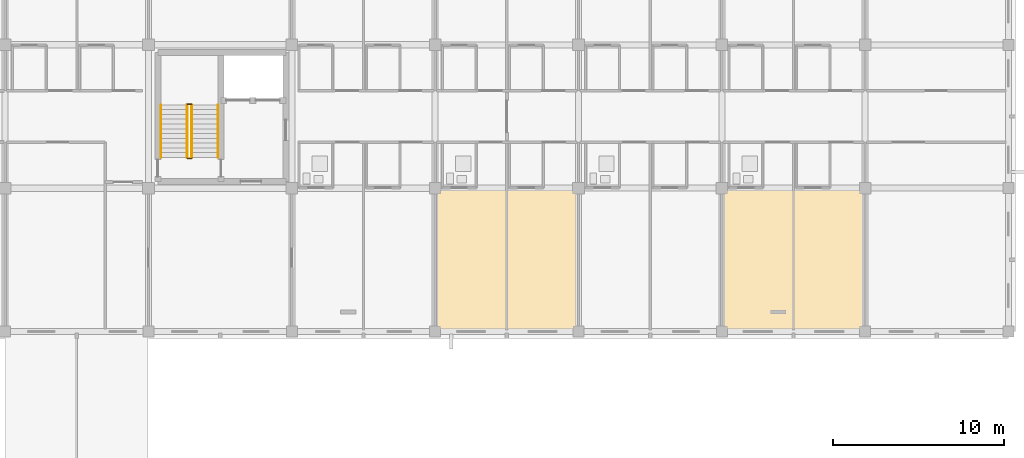
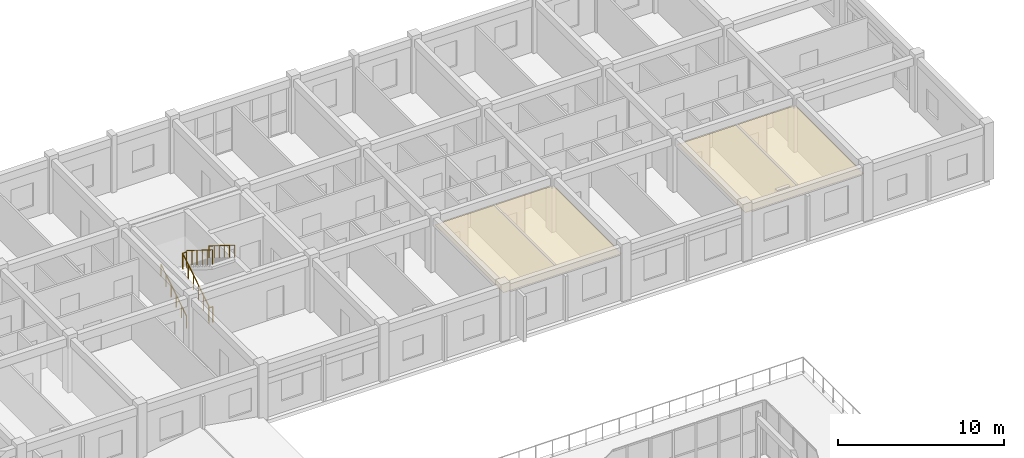
# One storey, part 88 of 90: 6 railings, 2 coverings.
"""IFC4 building model written with IfcOpenShell, lengths in metres."""

from ifc_helpers import new_model, si_unit, direction, frame, origin, origin_2d, place, context, subcontext, project, spatial, polyline, circle, outline, extrude, material, layer, layer_set, type_object, element, save


model = new_model("IFC4")

# Units and contexts
model_context = context("Model", 3, precision=1e-05, world=origin(), true_north=direction((0.0, 1.0)))
body_context = subcontext(model_context, "Body", "Model", "MODEL_VIEW")
ifc_project = project(units=[si_unit("LENGTHUNIT", "METRE"), si_unit("AREAUNIT", "SQUARE_METRE"), si_unit("VOLUMEUNIT", "CUBIC_METRE"), si_unit("PLANEANGLEUNIT", "RADIAN"), si_unit("MASSUNIT", "GRAM", prefix="KILO")], contexts=[model_context])

# Site, building, storey
site_placement = place(None, origin())
site = spatial("IfcSite", under=ifc_project, at=site_placement, CompositionType="ELEMENT")
building_placement = place(site_placement, origin())
building = spatial("IfcBuilding", under=site, at=building_placement, Name="Trelvath General Hospital", CompositionType="ELEMENT")
storey_placement = place(building_placement, frame((0.0, 0.0, 20.39990234375)))
storey = spatial("IfcBuildingStorey", under=building, at=storey_placement, Name="L05", CompositionType="ELEMENT", Elevation=20.39990234375)

# Coverings
ifc_material_1 = material(Name="Hygienic acoustic ceiling tile")
ifc_layer = layer(ifc_material_1, 0.02490234375)
ifc_layer_set = layer_set([ifc_layer], Name="Hygienic acoustic ceiling tile")
covering_type = type_object("IfcCoveringType", Name="Ceiling ClinicalAcoustic", PredefinedType="CEILING", material=ifc_layer_set)
covering_1_placement = place(storey_placement, frame((0.0, 0.0, 3.2001953125)))
element("IfcCovering", 1, at=covering_1_placement, inside=storey, type_object=covering_type, Name="Clinical Acoustic Ceiling L05-69", PredefinedType="CEILING", context=body_context, shape_type="SweptSolid", body=[
    extrude(outline(polyline([(100.89990234375, 92.5), (109.10009765625, 92.5), (109.10009765625, 100.719970703125), (100.89990234375, 100.719970703125), (100.89990234375, 92.5)])), origin(), (0.0, 0.0, 1.0), 0.02490234375),
])
covering_2_placement = place(storey_placement, frame((0.0, 0.0, 3.2001953125)))
element("IfcCovering", 2, at=covering_2_placement, inside=storey, type_object=covering_type, Name="Clinical Acoustic Ceiling L05-70", PredefinedType="CEILING", context=body_context, shape_type="SweptSolid", body=[
    extrude(outline(polyline([(117.699951171875, 92.5), (125.89990234375, 92.5), (125.89990234375, 100.719970703125), (117.699951171875, 100.719970703125), (117.699951171875, 92.5)])), origin(), (0.0, 0.0, 1.0), 0.02490234375),
])

# Railings
ifc_material_2 = material(Name="Architectural painted steel", Category="steel")
railing_type_1 = type_object("IfcRailingType", Name="Guardrail Terrace1150", PredefinedType="GUARDRAIL", material=ifc_material_2)
railing_1_placement = place(storey_placement, frame((86.27001953125, 102.56005859375, 0.0)))
element("IfcRailing", 3, at=railing_1_placement, inside=storey, type_object=railing_type_1, Name="Stair Well Edge Guard C2 L05 78", PredefinedType="GUARDRAIL", context=body_context, shape_type="SweptSolid", body=[
    extrude(circle(Radius=0.02392578125, at=origin_2d()), frame((0.0, 0.0, 1.1259765625), z_axis=(1.0, 0.0, 0.0), x_axis=(0.0, 1.0, 0.0)), (0.0, 0.0, 1.0), 0.260009765625),
    extrude(circle(Radius=0.02099609375, at=origin_2d()), origin(), (0.0, 0.0, 1.0), 1.099853515625),
    extrude(circle(Radius=0.02099609375, at=origin_2d()), frame((0.260009765625, 0.0, 0.0)), (0.0, 0.0, 1.0), 1.099853515625),
])
railing_2_placement = place(storey_placement, frame((86.530029296875, 105.679931640625, 2.275146484375)))
element("IfcRailing", 4, at=railing_2_placement, inside=storey, type_object=railing_type_1, Name="Stair Rail ST2 L05 F2 L 80", PredefinedType="GUARDRAIL", context=body_context, shape_type="SweptSolid", body=[
    extrude(circle(Radius=0.02392578125, at=origin_2d()), frame((0.0, 0.0, 1.076171875), z_axis=(0.0, -0.847979421464, 0.530029150871), x_axis=(1.0, 0.0, 0.0)), (0.0, 0.0, 1.0), 3.632080078125),
    extrude(circle(Radius=0.02099609375, at=origin_2d()), origin(), (0.0, 0.0, 1.0), 1.050048828125),
    extrude(circle(Radius=0.02099609375, at=origin_2d()), frame((0.0, -0.615966796875, 0.385009765625)), (0.0, 0.0, 1.0), 1.050048828125),
    extrude(circle(Radius=0.02099609375, at=origin_2d()), frame((0.0, -1.23193359375, 0.77001953125)), (0.0, 0.0, 1.0), 1.050048828125),
    extrude(circle(Radius=0.02099609375, at=origin_2d()), frame((0.0, -1.847900390625, 1.155029296875)), (0.0, 0.0, 1.0), 1.050048828125),
    extrude(circle(Radius=0.02099609375, at=origin_2d()), frame((0.0, -2.4638671875, 1.5400390625)), (0.0, 0.0, 1.0), 1.050048828125),
    extrude(circle(Radius=0.02099609375, at=origin_2d()), frame((0.0, -3.079833984375, 1.925048828125)), (0.0, 0.0, 1.0), 1.050048828125),
])
railing_3_placement = place(storey_placement, frame((86.27001953125, 102.60009765625, 0.175048828125)))
element("IfcRailing", 5, at=railing_3_placement, inside=storey, type_object=railing_type_1, Name="Stair Rail ST2 L05 F1 R 81", PredefinedType="GUARDRAIL", context=body_context, shape_type="SweptSolid", body=[
    extrude(circle(Radius=0.02392578125, at=origin_2d()), frame((0.0, 0.0, 1.076171875), z_axis=(0.0, 0.847979421464, 0.530029150871), x_axis=(-1.0, 0.0, 0.0)), (0.0, 0.0, 1.0), 3.632080078125),
    extrude(circle(Radius=0.02099609375, at=origin_2d()), origin(), (0.0, 0.0, 1.0), 1.050048828125),
    extrude(circle(Radius=0.02099609375, at=origin_2d()), frame((0.0, 0.615966796875, 0.385009765625)), (0.0, 0.0, 1.0), 1.050048828125),
    extrude(circle(Radius=0.02099609375, at=origin_2d()), frame((0.0, 1.23193359375, 0.77001953125)), (0.0, 0.0, 1.0), 1.050048828125),
    extrude(circle(Radius=0.02099609375, at=origin_2d()), frame((0.0, 1.847900390625, 1.155029296875)), (0.0, 0.0, 1.0), 1.050048828125),
    extrude(circle(Radius=0.02099609375, at=origin_2d()), frame((0.0, 2.4638671875, 1.5400390625)), (0.0, 0.0, 1.0), 1.050048828125),
    extrude(circle(Radius=0.02099609375, at=origin_2d()), frame((0.0, 3.079833984375, 1.925048828125)), (0.0, 0.0, 1.0), 1.050048828125),
])
railing_4_placement = place(storey_placement, frame((86.27001953125, 105.719970703125, 2.10009765625)))
element("IfcRailing", 6, at=railing_4_placement, inside=storey, type_object=railing_type_1, Name="Half-Landing Well Guard ST2 L05 83", PredefinedType="GUARDRAIL", context=body_context, shape_type="SweptSolid", body=[
    extrude(circle(Radius=0.02392578125, at=origin_2d()), frame((0.0, 0.0, 1.1259765625), z_axis=(1.0, 0.0, 0.0), x_axis=(0.0, 1.0, 0.0)), (0.0, 0.0, 1.0), 0.260009765625),
    extrude(circle(Radius=0.02099609375, at=origin_2d()), origin(), (0.0, 0.0, 1.0), 1.099853515625),
    extrude(circle(Radius=0.02099609375, at=origin_2d()), frame((0.260009765625, 0.0, 0.0)), (0.0, 0.0, 1.0), 1.099853515625),
])
ifc_material_3 = material(Name="Brushed stainless steel", Category="steel")
railing_type_2 = type_object("IfcRailingType", Name="Handrail Stair900", PredefinedType="HANDRAIL", material=ifc_material_3)
railing_5_placement = place(storey_placement, frame((84.72998046875, 102.60009765625, 0.175048828125)))
element("IfcRailing", 7, at=railing_5_placement, inside=storey, type_object=railing_type_2, Name="Stair Rail ST2 L05 F1 L 79", PredefinedType="HANDRAIL", context=body_context, shape_type="SweptSolid", body=[
    extrude(circle(Radius=0.02392578125, at=origin_2d()), frame((0.0, 0.0, 0.8759765625), z_axis=(0.0, 0.847979421464, 0.530029150871), x_axis=(-1.0, 0.0, 0.0)), (0.0, 0.0, 1.0), 3.632080078125),
    extrude(circle(Radius=0.02099609375, at=origin_2d()), origin(), (0.0, 0.0, 1.0), 0.849853515625),
    extrude(circle(Radius=0.02099609375, at=origin_2d()), frame((0.0, 0.615966796875, 0.385009765625)), (0.0, 0.0, 1.0), 0.849853515625),
    extrude(circle(Radius=0.02099609375, at=origin_2d()), frame((0.0, 1.23193359375, 0.77001953125)), (0.0, 0.0, 1.0), 0.849853515625),
    extrude(circle(Radius=0.02099609375, at=origin_2d()), frame((0.0, 1.847900390625, 1.155029296875)), (0.0, 0.0, 1.0), 0.849853515625),
    extrude(circle(Radius=0.02099609375, at=origin_2d()), frame((0.0, 2.4638671875, 1.5400390625)), (0.0, 0.0, 1.0), 0.849853515625),
    extrude(circle(Radius=0.02099609375, at=origin_2d()), frame((0.0, 3.079833984375, 1.925048828125)), (0.0, 0.0, 1.0), 0.849853515625),
])
railing_6_placement = place(storey_placement, frame((88.070068359375, 105.679931640625, 2.275146484375)))
element("IfcRailing", 8, at=railing_6_placement, inside=storey, type_object=railing_type_2, Name="Stair Rail ST2 L05 F2 R 82", PredefinedType="HANDRAIL", context=body_context, shape_type="SweptSolid", body=[
    extrude(circle(Radius=0.02392578125, at=origin_2d()), frame((0.0, 0.0, 0.8759765625), z_axis=(0.0, -0.847979421464, 0.530029150871), x_axis=(1.0, 0.0, 0.0)), (0.0, 0.0, 1.0), 3.632080078125),
    extrude(circle(Radius=0.02099609375, at=origin_2d()), origin(), (0.0, 0.0, 1.0), 0.849853515625),
    extrude(circle(Radius=0.02099609375, at=origin_2d()), frame((0.0, -0.615966796875, 0.385009765625)), (0.0, 0.0, 1.0), 0.849853515625),
    extrude(circle(Radius=0.02099609375, at=origin_2d()), frame((0.0, -1.23193359375, 0.77001953125)), (0.0, 0.0, 1.0), 0.849853515625),
    extrude(circle(Radius=0.02099609375, at=origin_2d()), frame((0.0, -1.847900390625, 1.155029296875)), (0.0, 0.0, 1.0), 0.849853515625),
    extrude(circle(Radius=0.02099609375, at=origin_2d()), frame((0.0, -2.4638671875, 1.5400390625)), (0.0, 0.0, 1.0), 0.849853515625),
    extrude(circle(Radius=0.02099609375, at=origin_2d()), frame((0.0, -3.079833984375, 1.925048828125)), (0.0, 0.0, 1.0), 0.849853515625),
])

save(model, "model.ifc")
